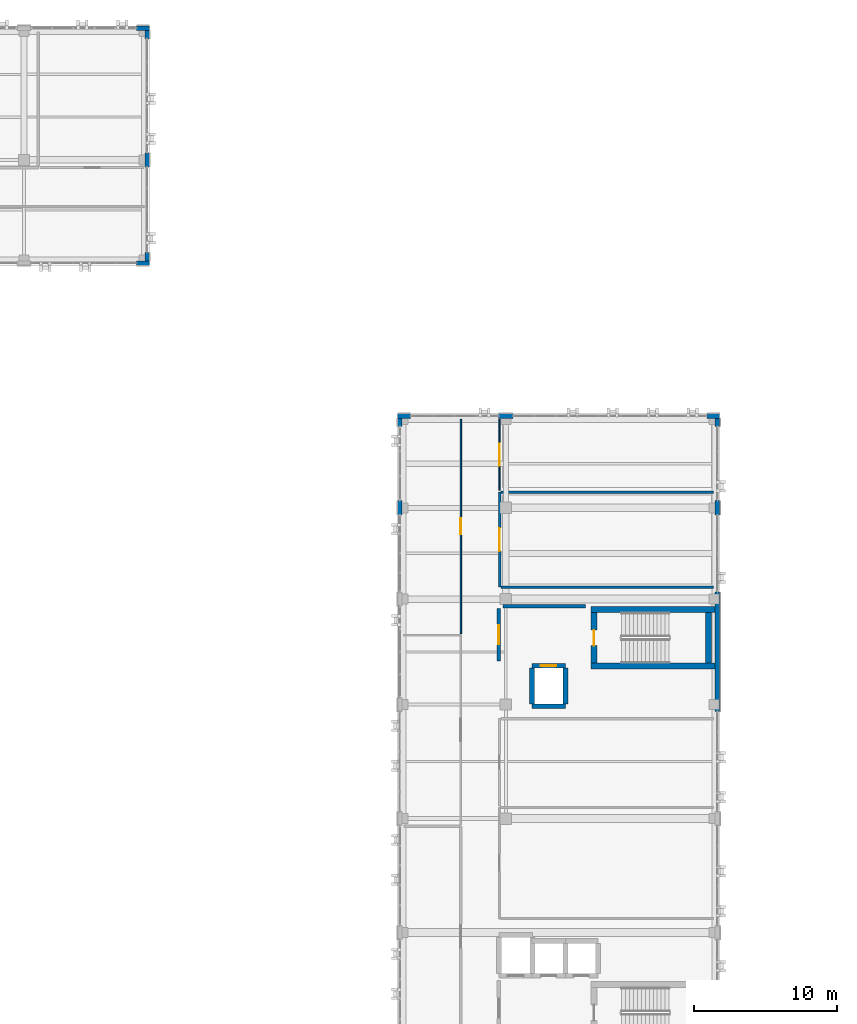
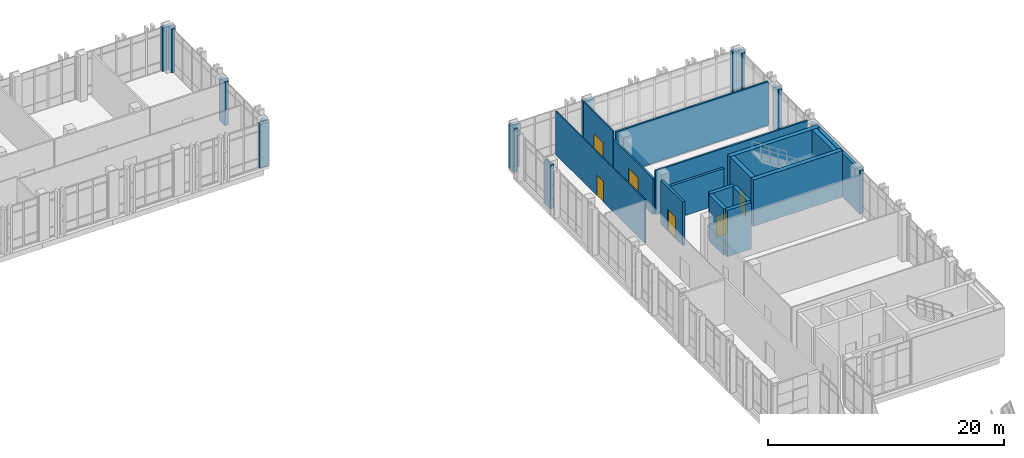
# One storey, part 158 of 189: 28 walls, 6 doors, 6 openings.
"""IFC4 building model written with IfcOpenShell, lengths in metres."""

from ifc_helpers import new_model, si_unit, direction, frame, frame_2d, origin, place, context, subcontext, project, spatial, rectangle, extrude, material, layer, layer_set, type_object, element, fill, save


model = new_model("IFC4")

# Units and contexts
model_context = context("Model", 3, precision=1e-05, world=origin(), true_north=direction((0.0, 1.0)))
body_context = subcontext(model_context, "Body", "Model", "MODEL_VIEW")
ifc_project = project(units=[si_unit("LENGTHUNIT", "METRE"), si_unit("AREAUNIT", "SQUARE_METRE"), si_unit("VOLUMEUNIT", "CUBIC_METRE"), si_unit("PLANEANGLEUNIT", "RADIAN"), si_unit("MASSUNIT", "GRAM", prefix="KILO")], contexts=[model_context])

# Site, building, storey
site_placement = place(None, origin())
site = spatial("IfcSite", under=ifc_project, at=site_placement, CompositionType="ELEMENT")
building_placement = place(site_placement, origin())
building = spatial("IfcBuilding", under=site, at=building_placement, Name="Qalavern Law Courts", CompositionType="ELEMENT")
storey_placement = place(building_placement, frame((0.0, 0.0, 5.39990234375)))
storey = spatial("IfcBuildingStorey", under=building, at=storey_placement, Name="L01", CompositionType="ELEMENT", Elevation=5.39990234375)

# Walls
ifc_material_1 = material(Name="Concrete C40/50", Category="concrete")
ifc_layer_1 = layer(ifc_material_1, 0.324951171875)
ifc_layer_set_1 = layer_set([ifc_layer_1], Name="Concrete C40/50")
wall_type_1 = type_object("IfcWallType", Name="ENV-EW-325", PredefinedType="SOLIDWALL", material=ifc_layer_set_1)
wall_1_placement = place(storey_placement, frame((106.637451171875, 64.89990234375, 0.0), z_axis=(0.0, 0.0, 1.0), x_axis=(0.0, 1.0, 0.0)))
element("IfcWall", 1, at=wall_1_placement, inside=storey, type_object=wall_type_1, Name="V4 exterior pier wall L01 east 4", PredefinedType="SOLIDWALL", context=body_context, shape_type="SweptSolid", body=[
    extrude(rectangle(XDim=8.400146484375, YDim=0.324951171875, at=frame_2d((4.2001953125, 0.0))), origin(), (0.0, 0.0, 1.0), 4.510009765625),
])
wall_2_placement = place(storey_placement, frame((106.637451171875, 78.699951171875, 0.0), z_axis=(0.0, 0.0, 1.0), x_axis=(0.0, 1.0, 0.0)))
element("IfcWall", 2, at=wall_2_placement, inside=storey, type_object=wall_type_1, Name="V4 exterior pier wall L01 east 5", PredefinedType="SOLIDWALL", context=body_context, shape_type="SweptSolid", body=[
    extrude(rectangle(XDim=1.0, YDim=0.324951171875, at=frame_2d((0.5, 0.0))), origin(), (0.0, 0.0, 1.0), 4.510009765625),
])
wall_3_placement = place(storey_placement, frame((106.637451171875, 84.89990234375, 0.0), z_axis=(0.0, 0.0, 1.0), x_axis=(0.0, 1.0, 0.0)))
element("IfcWall", 3, at=wall_3_placement, inside=storey, type_object=wall_type_1, Name="V4 exterior pier wall L01 east 6", PredefinedType="SOLIDWALL", context=body_context, shape_type="SweptSolid", body=[
    extrude(rectangle(XDim=0.580078125, YDim=0.324951171875, at=frame_2d((0.2900390625, 0.0))), origin(), (0.0, 0.0, 1.0), 4.510009765625),
])
wall_4_placement = place(storey_placement, frame((106.800048828125, 85.637451171875, 0.0), z_axis=(0.0, 0.0, 1.0), x_axis=(-1.0, 0.0, 0.0)))
element("IfcWall", 4, at=wall_4_placement, inside=storey, type_object=wall_type_1, Name="V4 exterior pier wall L01 north 1", PredefinedType="SOLIDWALL", context=body_context, shape_type="SweptSolid", body=[
    extrude(rectangle(XDim=0.900146484375, YDim=0.324951171875, at=frame_2d((0.4501953125, 0.0))), origin(), (0.0, 0.0, 1.0), 4.510009765625),
])
wall_5_placement = place(storey_placement, frame((92.300048828125, 85.637451171875, 0.0), z_axis=(0.0, 0.0, 1.0), x_axis=(-1.0, 0.0, 0.0)))
element("IfcWall", 5, at=wall_5_placement, inside=storey, type_object=wall_type_1, Name="V4 exterior pier wall L01 north 2", PredefinedType="SOLIDWALL", context=body_context, shape_type="SweptSolid", body=[
    extrude(rectangle(XDim=1.0, YDim=0.324951171875, at=frame_2d((0.5, 0.0))), origin(), (0.0, 0.0, 1.0), 4.510009765625),
])
wall_6_placement = place(storey_placement, frame((85.10009765625, 85.637451171875, 0.0), z_axis=(0.0, 0.0, 1.0), x_axis=(-1.0, 0.0, 0.0)))
element("IfcWall", 6, at=wall_6_placement, inside=storey, type_object=wall_type_1, Name="V4 exterior pier wall L01 north 3", PredefinedType="SOLIDWALL", context=body_context, shape_type="SweptSolid", body=[
    extrude(rectangle(XDim=0.900146484375, YDim=0.324951171875, at=frame_2d((0.4501953125, 0.0))), origin(), (0.0, 0.0, 1.0), 4.510009765625),
])
wall_7_placement = place(storey_placement, frame((84.362548828125, 85.47998046875, 0.0), z_axis=(0.0, 0.0, 1.0), x_axis=(0.0, -1.0, 0.0)))
element("IfcWall", 7, at=wall_7_placement, inside=storey, type_object=wall_type_1, Name="V4 exterior pier wall L01 west 1", PredefinedType="SOLIDWALL", context=body_context, shape_type="SweptSolid", body=[
    extrude(rectangle(XDim=0.580078125, YDim=0.324951171875, at=frame_2d((0.2900390625, 0.0))), origin(), (0.0, 0.0, 1.0), 4.510009765625),
])
wall_8_placement = place(storey_placement, frame((84.362548828125, 79.699951171875, 0.0), z_axis=(0.0, 0.0, 1.0), x_axis=(0.0, -1.0, 0.0)))
element("IfcWall", 8, at=wall_8_placement, inside=storey, type_object=wall_type_1, Name="V4 exterior pier wall L01 west 2", PredefinedType="SOLIDWALL", context=body_context, shape_type="SweptSolid", body=[
    extrude(rectangle(XDim=1.0, YDim=0.324951171875, at=frame_2d((0.5, 0.0))), origin(), (0.0, 0.0, 1.0), 4.510009765625),
])
wall_9_placement = place(storey_placement, frame((65.89990234375, 96.362548828125, 0.0), z_axis=(0.0, 0.0, 1.0), x_axis=(1.0, 0.0, 0.0)))
element("IfcWall", 9, at=wall_9_placement, inside=storey, type_object=wall_type_1, Name="V5 exterior pier wall L01 south 7", PredefinedType="SOLIDWALL", context=body_context, shape_type="SweptSolid", body=[
    extrude(rectangle(XDim=0.900146484375, YDim=0.324951171875, at=frame_2d((0.4501953125, 0.0))), origin(), (0.0, 0.0, 1.0), 4.510009765625),
])
wall_10_placement = place(storey_placement, frame((66.637451171875, 96.52001953125, 0.0), z_axis=(0.0, 0.0, 1.0), x_axis=(0.0, 1.0, 0.0)))
element("IfcWall", 10, at=wall_10_placement, inside=storey, type_object=wall_type_1, Name="V5 exterior pier wall L01 east 1", PredefinedType="SOLIDWALL", context=body_context, shape_type="SweptSolid", body=[
    extrude(rectangle(XDim=0.580078125, YDim=0.324951171875, at=frame_2d((0.2900390625, 0.0))), origin(), (0.0, 0.0, 1.0), 4.510009765625),
])
wall_11_placement = place(storey_placement, frame((66.637451171875, 103.10009765625, 0.0), z_axis=(0.0, 0.0, 1.0), x_axis=(0.0, 1.0, 0.0)))
element("IfcWall", 11, at=wall_11_placement, inside=storey, type_object=wall_type_1, Name="V5 exterior pier wall L01 east 2", PredefinedType="SOLIDWALL", context=body_context, shape_type="SweptSolid", body=[
    extrude(rectangle(XDim=1.0, YDim=0.324951171875, at=frame_2d((0.5, 0.0))), origin(), (0.0, 0.0, 1.0), 4.510009765625),
])
wall_12_placement = place(storey_placement, frame((66.637451171875, 112.10009765625, 0.0), z_axis=(0.0, 0.0, 1.0), x_axis=(0.0, 1.0, 0.0)))
element("IfcWall", 12, at=wall_12_placement, inside=storey, type_object=wall_type_1, Name="V5 exterior pier wall L01 east 3", PredefinedType="SOLIDWALL", context=body_context, shape_type="SweptSolid", body=[
    extrude(rectangle(XDim=0.579833984375, YDim=0.324951171875, at=frame_2d((0.2900390625, 0.0))), origin(), (0.0, 0.0, 1.0), 4.510009765625),
])
wall_13_placement = place(storey_placement, frame((66.800048828125, 112.83740234375, 0.0), z_axis=(0.0, 0.0, 1.0), x_axis=(-1.0, 0.0, 0.0)))
element("IfcWall", 13, at=wall_13_placement, inside=storey, type_object=wall_type_1, Name="V5 exterior pier wall L01 north 1", PredefinedType="SOLIDWALL", context=body_context, shape_type="SweptSolid", body=[
    extrude(rectangle(XDim=0.900146484375, YDim=0.324951171875, at=frame_2d((0.4501953125, 0.0))), origin(), (0.0, 0.0, 1.0), 4.510009765625),
])
ifc_material_2 = material(Name="Concrete C45/55", Category="concrete")
ifc_layer_2 = layer(ifc_material_2, 0.4150390625)
ifc_layer_set_2 = layer_set([ifc_layer_2], Name="Concrete C45/55")
wall_type_2 = type_object("IfcWallType", Name="INT-CW-415", PredefinedType="SHEAR", material=ifc_layer_set_2)
wall_14_placement = place(storey_placement, frame((97.784912109375, 68.092529296875, 0.0), z_axis=(0.0, 0.0, 1.0), x_axis=(1.0, 0.0, 0.0)))
element("IfcWall", 14, at=wall_14_placement, inside=storey, type_object=wall_type_2, Name="Core K1B stair shear wall L01 south", PredefinedType="SHEAR", context=body_context, shape_type="SweptSolid", body=[
    extrude(rectangle(XDim=8.68701171875, YDim=0.4150390625, at=frame_2d((4.343505859375, 0.0))), origin(), (0.0, 0.0, 1.0), 4.800048828125),
])
wall_15_placement = place(storey_placement, frame((106.007568359375, 68.300048828125, 0.0), z_axis=(0.0, 0.0, 1.0), x_axis=(0.0, 1.0, 0.0)))
element("IfcWall", 15, at=wall_15_placement, inside=storey, type_object=wall_type_2, Name="Core K1B stair shear wall L01 east", PredefinedType="SHEAR", context=body_context, shape_type="SweptSolid", body=[
    extrude(rectangle(XDim=3.550048828125, YDim=0.4150390625, at=frame_2d((1.77490234375, 0.0))), origin(), (0.0, 0.0, 1.0), 4.800048828125),
])
wall_16_placement = place(storey_placement, frame((106.471923828125, 72.0576171875, 0.0), z_axis=(0.0, 0.0, 1.0), x_axis=(-1.0, 0.0, 0.0)))
element("IfcWall", 16, at=wall_16_placement, inside=storey, type_object=wall_type_2, Name="Core K1B stair shear wall L01 north", PredefinedType="SHEAR", context=body_context, shape_type="SweptSolid", body=[
    extrude(rectangle(XDim=8.68701171875, YDim=0.4150390625, at=frame_2d((4.343505859375, 0.0))), origin(), (0.0, 0.0, 1.0), 4.800048828125),
])

# Wall, opening, door
wall_17_placement = place(storey_placement, frame((97.992431640625, 71.85009765625, 0.0), z_axis=(0.0, 0.0, 1.0), x_axis=(0.0, -1.0, 0.0)))
wall_17 = element("IfcWall", 17, at=wall_17_placement, inside=storey, type_object=wall_type_2, Name="Core K1B stair shear wall L01 west", PredefinedType="SHEAR", context=body_context, shape_type="SweptSolid", body=[
    extrude(rectangle(XDim=3.550048828125, YDim=0.4150390625, at=frame_2d((1.77490234375, 0.0))), origin(), (0.0, 0.0, 1.0), 4.800048828125),
])
opening_1_placement = place(wall_17_placement, frame((1.22509765625, 0.0, 0.0)))
opening_1 = element("IfcOpeningElement", 18, at=opening_1_placement, cuts=wall_17, Name="Opening L01-D031", PredefinedType="OPENING", context=body_context, shape_type="SweptSolid", body=[
    extrude(rectangle(XDim=1.10009765625, YDim=2.14990234375, at=frame_2d((0.550048828125, 1.074951171875))), frame((0.0, 0.222412109375, 0.0), z_axis=(0.0, -1.0, 0.0), x_axis=(1.0, 0.0, 0.0)), (0.0, 0.0, 1.0), 0.44482421875),
])
ifc_material_3 = material(Name="Steel fire-rated stair enclosure door", Category="steel")
door_type_1 = type_object("IfcDoorType", Name="INT-FD-1100x2150", OperationType="NOTDEFINED", PredefinedType="DOOR", material=ifc_material_3)
door_1_placement = place(opening_1_placement, frame((1.10009765625, 0.0, 0.0), z_axis=(0.0, 0.0, 1.0), x_axis=(-1.0, 0.0, 0.0)))
door_1 = element("IfcDoor", 19, at=door_1_placement, inside=storey, type_object=door_type_1, Name="Stair K1B fire door L01", OperationType="SINGLE_SWING_RIGHT", OverallHeight=2.14990234375, OverallWidth=1.10009765625, PredefinedType="DOOR", context=body_context, shape_type="SweptSolid", body=[
    extrude(rectangle(XDim=1.10009765625, YDim=2.14990234375, at=frame_2d((0.550048828125, 1.074951171875))), frame((0.0, 0.02490234375, 0.0), z_axis=(0.0, -1.0, 0.0), x_axis=(1.0, 0.0, 0.0)), (0.0, 0.0, 1.0), 0.050048828125),
])
fill(opening_1, door_1)

ifc_layer_3 = layer(ifc_material_1, 0.2451171875)
ifc_layer_set_3 = layer_set([ifc_layer_3], Name="Concrete C40/50")
wall_type_3 = type_object("IfcWallType", Name="INT-FW-245", PredefinedType="PARTITIONING", material=ifc_layer_set_3)
wall_18_placement = place(storey_placement, frame((91.300048828125, 68.449951171875, 0.0), z_axis=(0.0, 0.0, 1.0), x_axis=(0.0, 1.0, 0.0)))
wall_18 = element("IfcWall", 20, at=wall_18_placement, inside=storey, type_object=wall_type_3, Name="Core K1B firefighting/stair lobby fire wall L01", PredefinedType="PARTITIONING", context=body_context, shape_type="SweptSolid", body=[
    extrude(rectangle(XDim=3.699951171875, YDim=0.2451171875, at=frame_2d((1.85009765625, 0.0))), origin(), (0.0, 0.0, 1.0), 4.510009765625),
])
opening_2_placement = place(wall_18_placement, frame((1.175048828125, 0.0, 0.0)))
opening_2 = element("IfcOpeningElement", 21, at=opening_2_placement, cuts=wall_18, Name="Opening L01-D032", PredefinedType="OPENING", context=body_context, shape_type="SweptSolid", body=[
    extrude(rectangle(XDim=1.35009765625, YDim=2.199951171875, at=frame_2d((0.675048828125, 1.10009765625))), frame((0.0, 0.137451171875, 0.0), z_axis=(0.0, -1.0, 0.0), x_axis=(1.0, 0.0, 0.0)), (0.0, 0.0, 1.0), 0.27490234375),
])
ifc_material_4 = material(Name="Steel fire-rated frame and acoustic timber leaves", Category="steel")
door_type_2 = type_object("IfcDoorType", Name="INT-FD-1350x2200", OperationType="DOUBLE_DOOR_SINGLE_SWING", PredefinedType="DOOR", material=ifc_material_4)
door_2_placement = place(opening_2_placement, origin())
door_2 = element("IfcDoor", 22, at=door_2_placement, inside=storey, type_object=door_type_2, Name="Core K1B lobby fire door L01", OperationType="DOUBLE_DOOR_SINGLE_SWING", OverallHeight=2.199951171875, OverallWidth=1.35009765625, PredefinedType="DOOR", context=body_context, shape_type="SweptSolid", body=[
    extrude(rectangle(XDim=1.35009765625, YDim=2.199951171875, at=frame_2d((0.675048828125, 1.10009765625))), frame((0.0, 0.02490234375, 0.0), z_axis=(0.0, -1.0, 0.0), x_axis=(1.0, 0.0, 0.0)), (0.0, 0.0, 1.0), 0.050048828125),
])
fill(opening_2, door_2)

# Wall
wall_19_placement = place(storey_placement, frame((91.60009765625, 72.300048828125, 0.0), z_axis=(0.0, 0.0, 1.0), x_axis=(1.0, 0.0, 0.0)))
element("IfcWall", 23, at=wall_19_placement, inside=storey, type_object=wall_type_3, Name="Core K1B lobby return wall L01 north", PredefinedType="PARTITIONING", context=body_context, shape_type="SweptSolid", body=[
    extrude(rectangle(XDim=5.7998046875, YDim=0.2451171875, at=frame_2d((2.89990234375, 0.0))), origin(), (0.0, 0.0, 1.0), 3.5400390625),
])

# Wall, opening, door
ifc_material_5 = material(Name="Gypsum shaft/chase partition")
ifc_layer_4 = layer(ifc_material_5, 0.092041015625)
ifc_layer_set_4 = layer_set([ifc_layer_4], Name="Gypsum shaft/chase partition")
wall_type_4 = type_object("IfcWallType", Name="INT-PW-092", PredefinedType="PARTITIONING", material=ifc_layer_set_4)
wall_20_placement = place(storey_placement, frame((91.360107421875, 80.4150390625, 0.0), z_axis=(0.0, 0.0, 1.0), x_axis=(0.0, 1.0, 0.0)))
wall_20 = element("IfcWall", 24, at=wall_20_placement, inside=storey, type_object=wall_type_4, Name="Commercial Courtroom corridor partition L01", PredefinedType="PARTITIONING", context=body_context, shape_type="SweptSolid", body=[
    extrude(rectangle(XDim=5.0048828125, YDim=0.092041015625, at=frame_2d((2.50244140625, 0.0))), origin(), (0.0, 0.0, 1.0), 4.510009765625),
])
opening_3_placement = place(wall_20_placement, frame((1.7275390625, 0.0, 0.0)))
opening_3 = element("IfcOpeningElement", 25, at=opening_3_placement, cuts=wall_20, Name="Opening L01-D268", PredefinedType="OPENING", context=body_context, shape_type="SweptSolid", body=[
    extrude(rectangle(XDim=1.550048828125, YDim=2.280029296875, at=frame_2d((0.77490234375, 1.14013671875))), frame((0.0, 0.06103515625, 0.0), z_axis=(0.0, -1.0, 0.0), x_axis=(1.0, 0.0, 0.0)), (0.0, 0.0, 1.0), 0.121826171875),
])
ifc_material_6 = material(Name="Acoustic oak double Civil Courtroom door")
door_type_3 = type_object("IfcDoorType", Name="INT-ID-1550x2280", OperationType="DOUBLE_DOOR_SINGLE_SWING", PredefinedType="DOOR", material=ifc_material_6)
door_3_placement = place(opening_3_placement, origin())
door_3 = element("IfcDoor", 26, at=door_3_placement, inside=storey, type_object=door_type_3, Name="Commercial Courtroom door L01", OperationType="DOUBLE_DOOR_SINGLE_SWING", OverallHeight=2.280029296875, OverallWidth=1.550048828125, PredefinedType="DOOR", context=body_context, shape_type="SweptSolid", body=[
    extrude(rectangle(XDim=1.550048828125, YDim=2.280029296875, at=frame_2d((0.77490234375, 1.14013671875))), frame((0.0, 0.02490234375, 0.0), z_axis=(0.0, -1.0, 0.0), x_axis=(1.0, 0.0, 0.0)), (0.0, 0.0, 1.0), 0.050048828125),
])
fill(opening_3, door_3)

ifc_material_7 = material(Name="Gypsum stud partition")
ifc_layer_5 = layer(ifc_material_7, 0.112060546875)
ifc_layer_set_5 = layer_set([ifc_layer_5], Name="Gypsum stud partition")
wall_type_5 = type_object("IfcWallType", Name="INT-PW-112", PredefinedType="PARTITIONING", material=ifc_layer_set_5)
wall_21_placement = place(storey_placement, frame((88.639892578125, 70.3740234375, 0.0), z_axis=(0.0, 0.0, 1.0), x_axis=(0.0, 1.0, 0.0)))
wall_21 = element("IfcWall", 27, at=wall_21_placement, inside=storey, type_object=wall_type_5, Name="Witness Waiting Room corridor partition L01", PredefinedType="PARTITIONING", context=body_context, shape_type="SweptSolid", body=[
    extrude(rectangle(XDim=15.0458984375, YDim=0.112060546875, at=frame_2d((7.52294921875, 0.0))), origin(), (0.0, 0.0, 1.0), 4.510009765625),
])
opening_4_placement = place(wall_21_placement, frame((6.962890625, 0.0, 0.0)))
opening_4 = element("IfcOpeningElement", 28, at=opening_4_placement, cuts=wall_21, Name="Opening L01-D264", PredefinedType="OPENING", context=body_context, shape_type="SweptSolid", body=[
    extrude(rectangle(XDim=1.1201171875, YDim=2.139892578125, at=frame_2d((0.56005859375, 1.06982421875))), frame((0.0, 0.07080078125, 0.0), z_axis=(0.0, -1.0, 0.0), x_axis=(1.0, 0.0, 0.0)), (0.0, 0.0, 1.0), 0.141845703125),
])
ifc_material_8 = material(Name="Solid oak Appellate Chambers door")
door_type_4 = type_object("IfcDoorType", Name="INT-ID-1120x2140", OperationType="NOTDEFINED", PredefinedType="DOOR", material=ifc_material_8)
door_4_placement = place(opening_4_placement, frame((1.1201171875, 0.0, 0.0), z_axis=(0.0, 0.0, 1.0), x_axis=(-1.0, 0.0, 0.0)))
door_4 = element("IfcDoor", 29, at=door_4_placement, inside=storey, type_object=door_type_4, Name="Witness Waiting Room door L01", OperationType="SINGLE_SWING_LEFT", OverallHeight=2.139892578125, OverallWidth=1.1201171875, PredefinedType="DOOR", context=body_context, shape_type="SweptSolid", body=[
    extrude(rectangle(XDim=1.1201171875, YDim=2.139892578125, at=frame_2d((0.56005859375, 1.06982421875))), frame((0.0, 0.02490234375, 0.0), z_axis=(0.0, -1.0, 0.0), x_axis=(1.0, 0.0, 0.0)), (0.0, 0.0, 1.0), 0.050048828125),
])
fill(opening_4, door_4)

ifc_material_9 = material(Name="Gypsum acoustic stud partition")
ifc_layer_6 = layer(ifc_material_9, 0.174072265625)
ifc_layer_set_6 = layer_set([ifc_layer_6], Name="Gypsum acoustic stud partition")
wall_type_6 = type_object("IfcWallType", Name="INT-PW-174", PredefinedType="PARTITIONING", material=ifc_layer_set_6)
wall_22_placement = place(storey_placement, frame((91.360107421875, 73.639892578125, 0.0), z_axis=(0.0, 0.0, 1.0), x_axis=(0.0, 1.0, 0.0)))
wall_22 = element("IfcWall", 30, at=wall_22_placement, inside=storey, type_object=wall_type_6, Name="Civil Courtroom corridor partition L01", PredefinedType="PARTITIONING", context=body_context, shape_type="SweptSolid", body=[
    extrude(rectangle(XDim=6.655029296875, YDim=0.174072265625, at=frame_2d((3.32763671875, 0.0))), origin(), (0.0, 0.0, 1.0), 3.739990234375),
])
opening_5_placement = place(wall_22_placement, frame((2.527587890625, 0.0, 0.0)))
opening_5 = element("IfcOpeningElement", 31, at=opening_5_placement, cuts=wall_22, Name="Opening L01-D267", PredefinedType="OPENING", context=body_context, shape_type="SweptSolid", body=[
    extrude(rectangle(XDim=1.60009765625, YDim=2.300048828125, at=frame_2d((0.800048828125, 1.14990234375))), frame((0.0, 0.10205078125, 0.0), z_axis=(0.0, -1.0, 0.0), x_axis=(1.0, 0.0, 0.0)), (0.0, 0.0, 1.0), 0.203857421875),
])
ifc_material_10 = material(Name="Acoustic oak double Criminal Courtroom door")
door_type_5 = type_object("IfcDoorType", Name="INT-ID-1600x2300", OperationType="DOUBLE_DOOR_SINGLE_SWING", PredefinedType="DOOR", material=ifc_material_10)
door_5_placement = place(opening_5_placement, origin())
door_5 = element("IfcDoor", 32, at=door_5_placement, inside=storey, type_object=door_type_5, Name="Civil Courtroom door L01", OperationType="DOUBLE_DOOR_SINGLE_SWING", OverallHeight=2.300048828125, OverallWidth=1.60009765625, PredefinedType="DOOR", context=body_context, shape_type="SweptSolid", body=[
    extrude(rectangle(XDim=1.60009765625, YDim=2.300048828125, at=frame_2d((0.800048828125, 1.14990234375))), frame((0.0, 0.02490234375, 0.0), z_axis=(0.0, -1.0, 0.0), x_axis=(1.0, 0.0, 0.0)), (0.0, 0.0, 1.0), 0.050048828125),
])
fill(opening_5, door_5)

# Walls
for number, where, z_axis, x_axis, name in (
    (33, (91.467041015625, 73.639892578125, 0.0), (0.0, 0.0, 1.0), (1.0, 0.0, 0.0), "Civil Courtroom cross partition L01 south"),
    (34, (91.467041015625, 80.294921875, 0.0), (0.0, 0.0, 1.0), (1.0, 0.0, 0.0), "Civil Courtroom cross partition L01 north"),
):
    element("IfcWall", number, at=place(storey_placement, frame(where, z_axis=z_axis, x_axis=x_axis)), inside=storey, type_object=wall_type_6, Name=name, PredefinedType="PARTITIONING", context=body_context, shape_type="SweptSolid", body=[
        extrude(rectangle(XDim=14.89306640625, YDim=0.174072265625, at=frame_2d((7.446533203125, 0.0))), origin(), (0.0, 0.0, 1.0), 4.510009765625),
    ])
ifc_layer_7 = layer(ifc_material_2, 0.344970703125)
ifc_layer_set_7 = layer_set([ifc_layer_7], Name="Concrete C45/55")
wall_type_7 = type_object("IfcWallType", Name="INT-SW-345", PredefinedType="SHEAR", material=ifc_layer_set_7)
wall_23_placement = place(storey_placement, frame((93.62744140625, 65.277587890625, 0.0), z_axis=(0.0, 0.0, 1.0), x_axis=(1.0, 0.0, 0.0)))
element("IfcWall", 35, at=wall_23_placement, inside=storey, type_object=wall_type_7, Name="Lift LF-FF2 shaft wall L01 south", PredefinedType="SHEAR", context=body_context, shape_type="SweptSolid", body=[
    extrude(rectangle(XDim=2.344970703125, YDim=0.344970703125, at=frame_2d((1.17236328125, 0.0))), origin(), (0.0, 0.0, 1.0), 4.800048828125),
])
wall_24_placement = place(storey_placement, frame((95.972412109375, 65.449951171875, 0.0), z_axis=(0.0, 0.0, 1.0), x_axis=(0.0, 1.0, 0.0)))
element("IfcWall", 36, at=wall_24_placement, inside=storey, type_object=wall_type_7, Name="Lift LF-FF2 shaft wall L01 east", PredefinedType="SHEAR", context=body_context, shape_type="SweptSolid", body=[
    extrude(rectangle(XDim=2.5, YDim=0.344970703125, at=frame_2d((1.25, 0.0))), origin(), (0.0, 0.0, 1.0), 4.800048828125),
])

# Wall, opening, door
wall_25_placement = place(storey_placement, frame((95.972412109375, 68.12255859375, 0.0), z_axis=(0.0, 0.0, 1.0), x_axis=(-1.0, 0.0, 0.0)))
wall_25 = element("IfcWall", 37, at=wall_25_placement, inside=storey, type_object=wall_type_7, Name="Lift LF-FF2 shaft wall L01 north", PredefinedType="SHEAR", context=body_context, shape_type="SweptSolid", body=[
    extrude(rectangle(XDim=2.344970703125, YDim=0.344970703125, at=frame_2d((1.17236328125, 0.0))), origin(), (0.0, 0.0, 1.0), 4.800048828125),
])
opening_6_placement = place(wall_25_placement, frame((0.62255859375, 0.0, 0.0)))
opening_6 = element("IfcOpeningElement", 38, at=opening_6_placement, cuts=wall_25, Name="Opening LD-LF-FF2-L01", PredefinedType="OPENING", context=body_context, shape_type="SweptSolid", body=[
    extrude(rectangle(XDim=1.10009765625, YDim=2.159912109375, at=frame_2d((0.550048828125, 1.080078125))), frame((0.0, 0.1875, 0.0), z_axis=(0.0, -1.0, 0.0), x_axis=(1.0, 0.0, 0.0)), (0.0, 0.0, 1.0), 0.374755859375),
])
ifc_material_11 = material(Name="Stainless steel firefighting lift sliding landing door", Category="steel")
door_type_6 = type_object("IfcDoorType", Name="INT-LD-1100x2160", OperationType="DOUBLE_DOOR_SLIDING", PredefinedType="DOOR", material=ifc_material_11)
door_6_placement = place(opening_6_placement, origin())
door_6 = element("IfcDoor", 39, at=door_6_placement, inside=storey, type_object=door_type_6, Name="Lift LF-FF2 sliding landing door L01", OperationType="DOUBLE_DOOR_SLIDING", OverallHeight=2.159912109375, OverallWidth=1.10009765625, PredefinedType="DOOR", context=body_context, shape_type="SweptSolid", body=[
    extrude(rectangle(XDim=1.10009765625, YDim=2.159912109375, at=frame_2d((0.550048828125, 1.080078125))), frame((0.0, 0.02490234375, 0.0), z_axis=(0.0, -1.0, 0.0), x_axis=(1.0, 0.0, 0.0)), (0.0, 0.0, 1.0), 0.050048828125),
])
fill(opening_6, door_6)

# Wall
wall_26_placement = place(storey_placement, frame((93.62744140625, 67.949951171875, 0.0), z_axis=(0.0, 0.0, 1.0), x_axis=(0.0, -1.0, 0.0)))
element("IfcWall", 40, at=wall_26_placement, inside=storey, type_object=wall_type_7, Name="Lift LF-FF2 shaft wall L01 west", PredefinedType="SHEAR", context=body_context, shape_type="SweptSolid", body=[
    extrude(rectangle(XDim=2.5, YDim=0.344970703125, at=frame_2d((1.25, 0.0))), origin(), (0.0, 0.0, 1.0), 4.800048828125),
])

save(model, "model.ifc")
